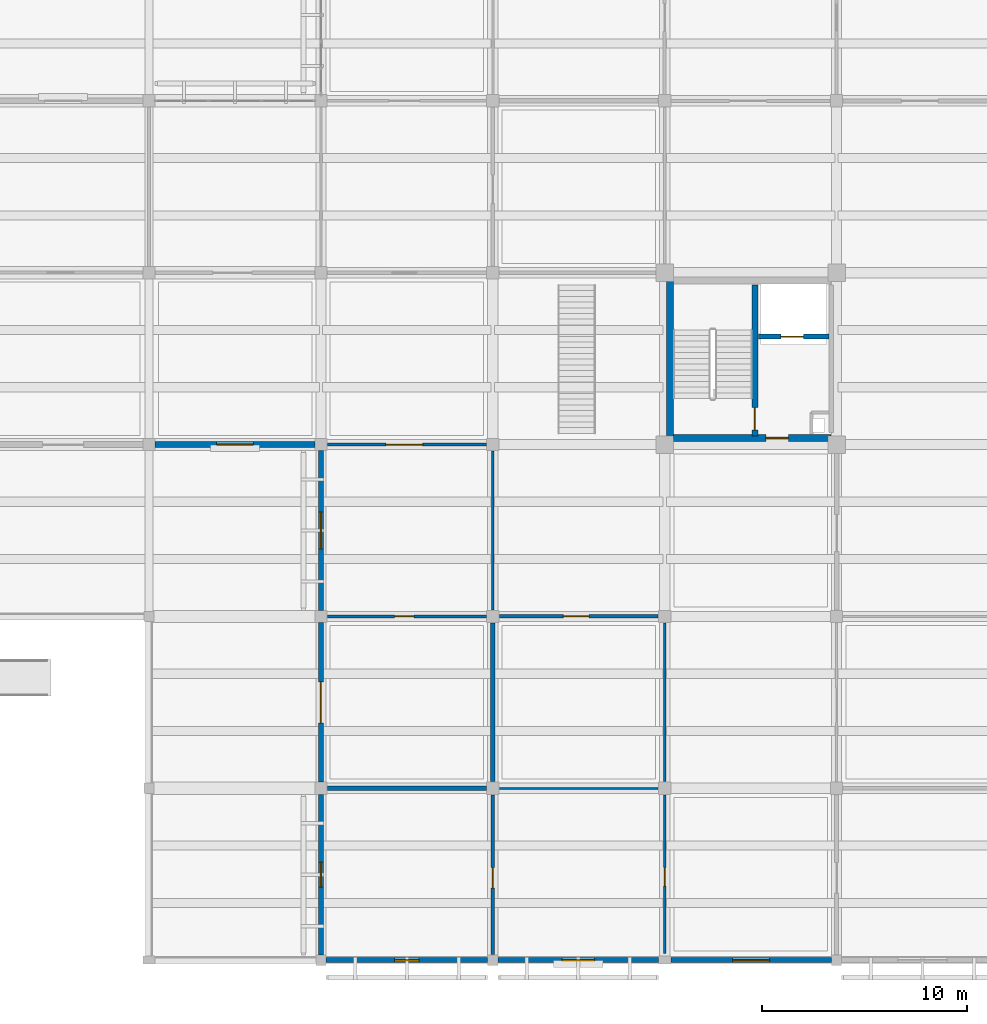
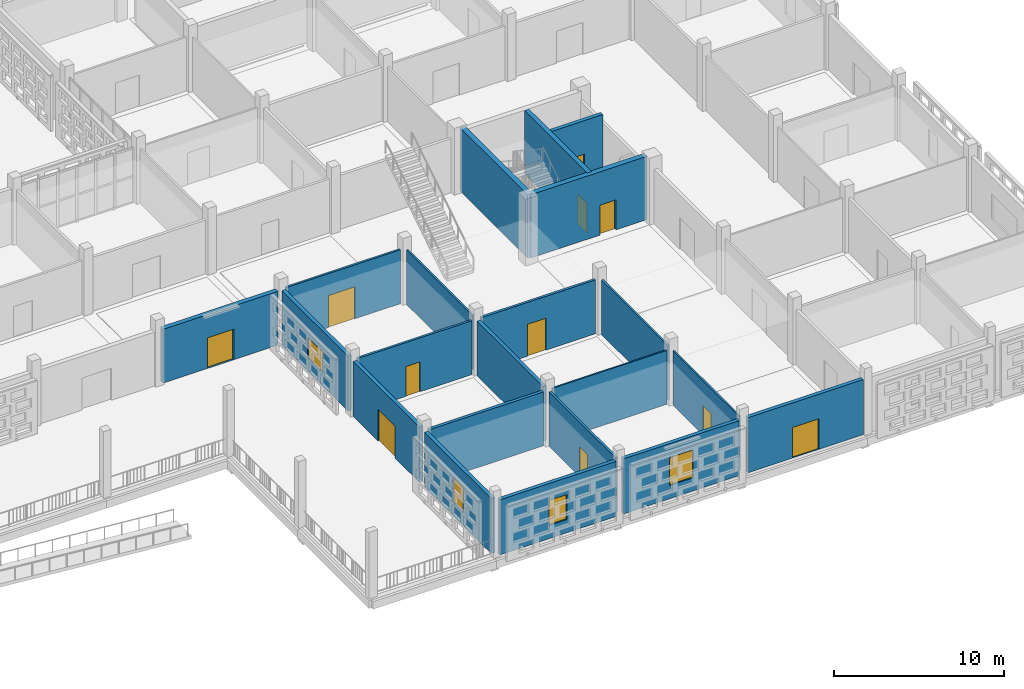
# One storey, part 68 of 129: 21 walls, 11 doors, 4 windows, 15 openings.
"""IFC4 building model written with IfcOpenShell, lengths in metres."""

import ifcopenshell
import ifcopenshell.guid

model = None  # the IFC model being written
_history = None  # IfcOwnerHistory: only IFC2X3 demands one
_inside = {}  # id of a spatial element -> (the spatial element, [elements in it])
_under = {}  # id of a project, library or spatial element -> (it, [spatial elements below it])
_declared = {}  # id of a project -> (the project, [libraries it declares])
_typed = {}  # id of a type object -> (the type object, [elements of that type])
_made_of = {}  # id of a material, layer set ... -> (it, [elements and type objects made of it])


def new_model(schema):
    """Start an empty IFC model of exactly this schema.

    Asked for "IFC4X3", IfcOpenShell would pick the latest addendum, in which some entities
    have other attributes; the version numbers below select the first issue.
    IFC2X3 requires an IfcOwnerHistory on every rooted entity: one is made here for all.
    """
    global model, _history
    if schema == "IFC4X3":
        model = ifcopenshell.file(schema_version=(4, 3, 0, 0))
    else:
        model = ifcopenshell.file(schema=schema)
    _inside.clear()
    _under.clear()
    _declared.clear()
    _typed.clear()
    _made_of.clear()
    _history = None
    if model.schema == "IFC2X3":
        org = make("IfcOrganization", Name="unknown")
        user = make(
            "IfcPersonAndOrganization",
            ThePerson=make("IfcPerson", FamilyName="unknown"),
            TheOrganization=org,
        )
        app = make(
            "IfcApplication",
            ApplicationDeveloper=org,
            Version="unknown",
            ApplicationFullName="unknown",
            ApplicationIdentifier="unknown",
        )
        _history = make(
            "IfcOwnerHistory",
            OwningUser=user,
            OwningApplication=app,
            ChangeAction="ADDED",
            CreationDate=0,
        )
    return model


def make(cls, **values):
    """One entity of the class cls with the attributes given. An attribute that is None is left unset."""
    return model.create_entity(
        cls, **{name: value for name, value in values.items() if value is not None}
    )


def rooted(cls, **values):
    """An entity with a GlobalId (a new one), such as an element, a storey or a relation."""
    return make(cls, GlobalId=ifcopenshell.guid.new(), OwnerHistory=_history, **values)


def si_unit(unit_type, name, prefix=None):
    """IfcSIUnit, for example si_unit("LENGTHUNIT", "METRE", prefix="MILLI")."""
    return make("IfcSIUnit", UnitType=unit_type, Prefix=prefix, Name=name)


def assignment(units):
    """IfcUnitAssignment: the units of a project."""
    return None if units is None else make("IfcUnitAssignment", Units=units)


def point(xyz):
    """IfcCartesianPoint."""
    return None if xyz is None else make("IfcCartesianPoint", Coordinates=xyz)


def direction(xyz):
    """IfcDirection."""
    return None if xyz is None else make("IfcDirection", DirectionRatios=xyz)


def frame(location, z_axis=None, x_axis=None):
    """IfcAxis2Placement3D, a coordinate frame: its origin and axes. An axis left out is left unset."""
    return make(
        "IfcAxis2Placement3D",
        Location=point(location),
        Axis=direction(z_axis),
        RefDirection=direction(x_axis),
    )


def frame_2d(location, x_axis=None):
    """IfcAxis2Placement2D, a coordinate frame in the plane: its origin and x axis."""
    return make(
        "IfcAxis2Placement2D", Location=point(location), RefDirection=direction(x_axis)
    )


def origin():
    """The frame at (0, 0, 0) with its axes left unset."""
    return frame((0.0, 0.0, 0.0))


def place(relative_to, where):
    """IfcLocalPlacement: puts the frame where relative to a parent placement (None: the world)."""
    return make(
        "IfcLocalPlacement", PlacementRelTo=relative_to, RelativePlacement=where
    )


def context(
    kind, dimensions, precision=None, world=None, true_north=None, identifier=None
):
    """IfcGeometricRepresentationContext, for example the 3D "Model" context."""
    return make(
        "IfcGeometricRepresentationContext",
        ContextIdentifier=identifier,
        ContextType=kind,
        CoordinateSpaceDimension=dimensions,
        Precision=precision,
        WorldCoordinateSystem=world,
        TrueNorth=true_north,
    )


def subcontext(parent, identifier, kind, view, scale=None):
    """IfcGeometricRepresentationSubContext, for example "Body" below "Model"."""
    return make(
        "IfcGeometricRepresentationSubContext",
        ContextIdentifier=identifier,
        ContextType=kind,
        ParentContext=parent,
        TargetScale=scale,
        TargetView=view,
    )


def project(units=None, contexts=None):
    """IfcProject with its units and contexts."""
    return rooted(
        "IfcProject",
        Name="project",
        RepresentationContexts=contexts,
        UnitsInContext=assignment(units),
    )


def spatial(cls, under=None, at=None, **own):
    """A site, building, storey or space (cls), placed at a placement, below another one or the project."""
    s = rooted(cls, ObjectPlacement=at, **own)
    if under is not None:
        _under.setdefault(under.id(), (under, []))[1].append(s)
    return s


def profile(cls, at=None, kind="AREA", **sizes):
    """A parametric profile (cls). Its sizes go by their IFC names, for example OverallWidth=200.0."""
    return make(cls, ProfileType=kind, Position=at, **sizes)


def rectangle(**sizes):
    """IfcRectangleProfileDef."""
    return profile("IfcRectangleProfileDef", **sizes)


def extrude(swept, where, along, depth):
    """IfcExtrudedAreaSolid: the profile swept, set in the frame where, extruded along a direction by depth."""
    return make(
        "IfcExtrudedAreaSolid",
        SweptArea=swept,
        Position=where,
        ExtrudedDirection=direction(along),
        Depth=depth,
    )


def shape(context_of_items, identifier, shape_type, items):
    """IfcShapeRepresentation: the items that make up one representation, for example the "Body"."""
    return make(
        "IfcShapeRepresentation",
        ContextOfItems=context_of_items,
        RepresentationIdentifier=identifier,
        RepresentationType=shape_type,
        Items=items,
    )


def material(Name=None, Category=None):
    """IfcMaterial."""
    return make("IfcMaterial", Name=Name, Category=Category)


def layer(
    of_material, thickness, ventilated=None, Name=None, Category=None, Priority=None
):
    """IfcMaterialLayer: one layer of a wall or slab, of a material (None: an air gap)."""
    return make(
        "IfcMaterialLayer",
        Material=of_material,
        LayerThickness=thickness,
        IsVentilated=ventilated,
        Name=Name,
        Category=Category,
        Priority=Priority,
    )


def layer_set(layers, Name=None):
    """IfcMaterialLayerSet."""
    return make("IfcMaterialLayerSet", MaterialLayers=layers, LayerSetName=Name)


def made_of(thing, what):
    """Note that an element or type object is made of a material, layer set ...; save() writes the relation."""
    if what is not None:
        _made_of.setdefault(what.id(), (what, []))[1].append(thing)
    return thing


def type_object(cls, material=None, **own):
    """A type object (cls), such as IfcWallType, which elements share."""
    return made_of(rooted(cls, **own), material)


def element(
    cls,
    number,
    at=None,
    inside=None,
    cuts=None,
    type_object=None,
    material=None,
    context=None,
    identifier="Body",
    shape_type=None,
    held_by="IfcProductDefinitionShape",
    body=None,
    shapes=None,
    **own,
):
    """One element of the class cls, such as IfcWall. Its Tag is "e" and its number.

    at: its placement. inside: the storey or other place that contains it. cuts: it is an
    opening in that element (IfcRelVoidsElement). A single representation is given by context,
    identifier, shape_type and body (its items); several are given by shapes. held_by: the class
    of the entity that holds the representations. save() writes the other relations.
    """
    e = rooted(cls, Tag="e%d" % number, ObjectPlacement=at, **own)
    if body is not None:
        shapes = [shape(context, identifier, shape_type, body)]
    if shapes is not None:
        e.Representation = make(held_by, Representations=shapes)
    if inside is not None:
        _inside.setdefault(inside.id(), (inside, []))[1].append(e)
    if cuts is not None:
        rooted(
            "IfcRelVoidsElement", RelatingBuildingElement=cuts, RelatedOpeningElement=e
        )
    if type_object is not None:
        _typed.setdefault(type_object.id(), (type_object, []))[1].append(e)
    return made_of(e, material)


def fill(opening, filler):
    """IfcRelFillsElement: the door or window that sits in an opening."""
    return rooted(
        "IfcRelFillsElement",
        RelatingOpeningElement=opening,
        RelatedBuildingElement=filler,
    )


def aggregate(whole, parts):
    """IfcRelAggregates: a whole, such as a stair, and the parts it consists of."""
    return rooted("IfcRelAggregates", RelatingObject=whole, RelatedObjects=parts)


def save(model, path):
    """Write the relations noted so far, then the file.

    IfcRelAggregates (storeys below a building ...), IfcRelContainedInSpatialStructure (elements
    in a storey), IfcRelDefinesByType, IfcRelAssociatesMaterial and IfcRelDeclares: one each for
    every whole, place, type object, material and project.
    """
    for whole, parts in _under.values():
        aggregate(whole, parts)
    for where, things in _inside.values():
        rooted(
            "IfcRelContainedInSpatialStructure",
            RelatedElements=things,
            RelatingStructure=where,
        )
    for kind, things in _typed.values():
        rooted("IfcRelDefinesByType", RelatedObjects=things, RelatingType=kind)
    for what, things in _made_of.values():
        rooted("IfcRelAssociatesMaterial", RelatedObjects=things, RelatingMaterial=what)
    for by, libraries in _declared.values():
        rooted("IfcRelDeclares", RelatingContext=by, RelatedDefinitions=libraries)
    model.write(path)


model = new_model("IFC4")

# Units and contexts
model_context = context("Model", 3, precision=1e-05, world=origin(), true_north=direction((0.0, 1.0)))
body_context = subcontext(model_context, "Body", "Model", "MODEL_VIEW")
ifc_project = project(units=[si_unit("LENGTHUNIT", "METRE"), si_unit("AREAUNIT", "SQUARE_METRE"), si_unit("VOLUMEUNIT", "CUBIC_METRE"), si_unit("PLANEANGLEUNIT", "RADIAN"), si_unit("MASSUNIT", "GRAM", prefix="KILO")], contexts=[model_context])

# Site, building, storey
site_placement = place(None, origin())
site = spatial("IfcSite", under=ifc_project, at=site_placement, CompositionType="ELEMENT")
building_placement = place(site_placement, origin())
building = spatial("IfcBuilding", under=site, at=building_placement, Name="Varnapada Polytechnic", CompositionType="ELEMENT")
storey_placement = place(building_placement, origin())
storey = spatial("IfcBuildingStorey", under=building, at=storey_placement, Name="L00", CompositionType="ELEMENT", Elevation=0.0)

# Wall, opening, door
ifc_material_1 = material(Name="Autoclaved Aerated Concrete Block AAC-600", Category="concrete")
ifc_layer_1 = layer(ifc_material_1, 0.14990234375)
ifc_layer_set_1 = layer_set([ifc_layer_1], Name="Autoclaved Aerated Concrete Block AAC-600")
wall_type_1 = type_object("IfcWallType", Name="Interior Wall IW-02", PredefinedType="PARTITIONING", material=ifc_layer_set_1)
wall_1_placement = place(storey_placement, frame((134.719970703125, 16.800048828125, 0.0), z_axis=(0.0, 0.0, 1.0), x_axis=(1.0, 0.0, 0.0)))
wall_1 = element("IfcWall", 1, at=wall_1_placement, inside=storey, type_object=wall_type_1, Name="L00 interior partition IW-L00-16-01-H", PredefinedType="PARTITIONING", context=body_context, shape_type="SweptSolid", body=[
    extrude(rectangle(XDim=7.760009765625, YDim=0.14990234375, at=frame_2d((3.8798828125, 0.0))), origin(), (0.0, 0.0, 1.0), 3.8701171875),
])
opening_1_placement = place(wall_1_placement, frame((3.27490234375, 0.0, 0.0)))
opening_1 = element("IfcOpeningElement", 2, at=opening_1_placement, cuts=wall_1, Name="Opening D-902", PredefinedType="OPENING", context=body_context, shape_type="SweptSolid", body=[
    extrude(rectangle(XDim=0.949951171875, YDim=2.14990234375, at=frame_2d((0.47509765625, 1.074951171875))), frame((0.0, 0.0849609375, 0.0), z_axis=(0.0, -1.0, 0.0), x_axis=(1.0, 0.0, 0.0)), (0.0, 0.0, 1.0), 0.169921875),
])
ifc_material_2 = material(Name="Moisture-Resistant HPL Timber", Category="wood")
door_type_1 = type_object("IfcDoorType", Name="Interior Door ID-03", OperationType="NOTDEFINED", PredefinedType="DOOR", material=ifc_material_2)
door_1_placement = place(opening_1_placement, frame((0.949951171875, 0.0, 0.0), z_axis=(0.0, 0.0, 1.0), x_axis=(-1.0, 0.0, 0.0)))
door_1 = element("IfcDoor", 3, at=door_1_placement, inside=storey, type_object=door_type_1, Name="L00 interior room door D-902", OperationType="SINGLE_SWING_LEFT", OverallHeight=2.14990234375, OverallWidth=0.949951171875, PredefinedType="DOOR", context=body_context, shape_type="SweptSolid", body=[
    extrude(rectangle(XDim=0.949951171875, YDim=2.14990234375, at=frame_2d((0.47509765625, 1.074951171875))), frame((0.0, 0.02490234375, 0.0), z_axis=(0.0, -1.0, 0.0), x_axis=(1.0, 0.0, 0.0)), (0.0, 0.0, 1.0), 0.050048828125),
])
fill(opening_1, door_1)

# Wall
ifc_material_3 = material(Name="Gypsum Plasterboard Acoustic Partition")
ifc_layer_2 = layer(ifc_material_3, 0.125)
ifc_layer_set_2 = layer_set([ifc_layer_2], Name="Gypsum Plasterboard Acoustic Partition")
wall_type_2 = type_object("IfcWallType", Name="Interior Wall IW-03", PredefinedType="PARTITIONING", material=ifc_layer_set_2)
wall_2_placement = place(storey_placement, frame((142.800048828125, 17.1201171875, 0.0), z_axis=(0.0, 0.0, 1.0), x_axis=(0.0, 1.0, 0.0)))
element("IfcWall", 4, at=wall_2_placement, inside=storey, type_object=wall_type_2, Name="L00 interior partition IW-L00-16-02-V", PredefinedType="PARTITIONING", context=body_context, shape_type="SweptSolid", body=[
    extrude(rectangle(XDim=7.759765625, YDim=0.125, at=frame_2d((3.8798828125, 0.0))), origin(), (0.0, 0.0, 1.0), 3.919921875),
])

# Wall, opening, door
ifc_material_4 = material(Name="Moisture-Resistant Cement Board Partition")
ifc_layer_3 = layer(ifc_material_4, 0.139892578125)
ifc_layer_set_3 = layer_set([ifc_layer_3], Name="Moisture-Resistant Cement Board Partition")
wall_type_3 = type_object("IfcWallType", Name="Interior Wall IW-04", PredefinedType="PARTITIONING", material=ifc_layer_set_3)
wall_3_placement = place(storey_placement, frame((134.719970703125, 25.199951171875, 0.0), z_axis=(0.0, 0.0, 1.0), x_axis=(1.0, 0.0, 0.0)))
wall_3 = element("IfcWall", 5, at=wall_3_placement, inside=storey, type_object=wall_type_3, Name="L00 interior partition IW-L00-16-02-H", PredefinedType="PARTITIONING", context=body_context, shape_type="SweptSolid", body=[
    extrude(rectangle(XDim=7.760009765625, YDim=0.139892578125, at=frame_2d((3.8798828125, 0.0))), origin(), (0.0, 0.0, 1.0), 3.8701171875),
])
opening_2_placement = place(wall_3_placement, frame((2.85009765625, 0.0, 0.0)))
opening_2 = element("IfcOpeningElement", 6, at=opening_2_placement, cuts=wall_3, Name="Opening D-903", PredefinedType="OPENING", context=body_context, shape_type="SweptSolid", body=[
    extrude(rectangle(XDim=1.800048828125, YDim=2.300048828125, at=frame_2d((0.89990234375, 1.14990234375))), frame((0.0, 0.079833984375, 0.0), z_axis=(0.0, -1.0, 0.0), x_axis=(1.0, 0.0, 0.0)), (0.0, 0.0, 1.0), 0.159912109375),
])
ifc_material_5 = material(Name="Acoustic Double Timber Leaf", Category="wood")
door_type_2 = type_object("IfcDoorType", Name="Interior Door ID-04", OperationType="NOTDEFINED", PredefinedType="DOOR", material=ifc_material_5)
door_2_placement = place(opening_2_placement, origin())
door_2 = element("IfcDoor", 7, at=door_2_placement, inside=storey, type_object=door_type_2, Name="L00 interior room door D-903", OperationType="SINGLE_SWING_RIGHT", OverallHeight=2.300048828125, OverallWidth=1.800048828125, PredefinedType="DOOR", context=body_context, shape_type="SweptSolid", body=[
    extrude(rectangle(XDim=1.800048828125, YDim=2.300048828125, at=frame_2d((0.89990234375, 1.14990234375))), frame((0.0, 0.02490234375, 0.0), z_axis=(0.0, -1.0, 0.0), x_axis=(1.0, 0.0, 0.0)), (0.0, 0.0, 1.0), 0.050048828125),
])
fill(opening_2, door_2)

ifc_material_6 = material(Name="Glazed Timber-Framed Studio Screen", Category="wood")
ifc_layer_4 = layer(ifc_material_6, 0.110107421875)
ifc_layer_set_4 = layer_set([ifc_layer_4], Name="Glazed Timber-Framed Studio Screen")
wall_type_4 = type_object("IfcWallType", Name="Interior Wall IW-07", PredefinedType="PARTITIONING", material=ifc_layer_set_4)
wall_4_placement = place(storey_placement, frame((151.199951171875, 0.320068359375, 0.0), z_axis=(0.0, 0.0, 1.0), x_axis=(0.0, 1.0, 0.0)))
wall_4 = element("IfcWall", 8, at=wall_4_placement, inside=storey, type_object=wall_type_4, Name="L00 interior partition IW-L00-17-00-V", PredefinedType="PARTITIONING", context=body_context, shape_type="SweptSolid", body=[
    extrude(rectangle(XDim=7.760009765625, YDim=0.110107421875, at=frame_2d((3.8798828125, 0.0))), origin(), (0.0, 0.0, 1.0), 3.919921875),
])
opening_3_placement = place(wall_4_placement, frame((3.300048828125, 0.0, 0.0)))
opening_3 = element("IfcOpeningElement", 9, at=opening_3_placement, cuts=wall_4, Name="Opening D-914", PredefinedType="OPENING", context=body_context, shape_type="SweptSolid", body=[
    extrude(rectangle(XDim=0.89990234375, YDim=2.10009765625, at=frame_2d((0.449951171875, 1.050048828125))), frame((0.0, 0.06494140625, 0.0), z_axis=(0.0, -1.0, 0.0), x_axis=(1.0, 0.0, 0.0)), (0.0, 0.0, 1.0), 0.130126953125),
])
door_type_3 = type_object("IfcDoorType", Name="Interior Door ID-15", OperationType="NOTDEFINED", PredefinedType="DOOR", material=ifc_material_2)
door_3_placement = place(opening_3_placement, frame((0.89990234375, 0.0, 0.0), z_axis=(0.0, 0.0, 1.0), x_axis=(-1.0, 0.0, 0.0)))
door_3 = element("IfcDoor", 10, at=door_3_placement, inside=storey, type_object=door_type_3, Name="L00 interior room door D-914", OperationType="SINGLE_SWING_LEFT", OverallHeight=2.10009765625, OverallWidth=0.89990234375, PredefinedType="DOOR", context=body_context, shape_type="SweptSolid", body=[
    extrude(rectangle(XDim=0.89990234375, YDim=2.10009765625, at=frame_2d((0.449951171875, 1.050048828125))), frame((0.0, 0.02490234375, 0.0), z_axis=(0.0, -1.0, 0.0), x_axis=(1.0, 0.0, 0.0)), (0.0, 0.0, 1.0), 0.050048828125),
])
fill(opening_3, door_3)

# Walls
ifc_material_7 = material(Name="Operable Acoustic Seminar Partition")
ifc_layer_5 = layer(ifc_material_7, 0.10009765625)
ifc_layer_set_5 = layer_set([ifc_layer_5], Name="Operable Acoustic Seminar Partition")
wall_type_5 = type_object("IfcWallType", Name="Interior Wall IW-08", PredefinedType="MOVABLE", material=ifc_layer_set_5)
wall_5_placement = place(storey_placement, frame((143.1201171875, 8.39990234375, 0.0), z_axis=(0.0, 0.0, 1.0), x_axis=(1.0, 0.0, 0.0)))
element("IfcWall", 11, at=wall_5_placement, inside=storey, type_object=wall_type_5, Name="L00 interior partition IW-L00-17-00-H", PredefinedType="MOVABLE", context=body_context, shape_type="SweptSolid", body=[
    extrude(rectangle(XDim=7.759765625, YDim=0.10009765625, at=frame_2d((3.8798828125, 0.0))), origin(), (0.0, 0.0, 1.0), 3.8701171875),
])
ifc_material_8 = material(Name="Calcium Silicate Acoustic Lab Partition")
ifc_layer_6 = layer(ifc_material_8, 0.135009765625)
ifc_layer_set_6 = layer_set([ifc_layer_6], Name="Calcium Silicate Acoustic Lab Partition")
wall_type_6 = type_object("IfcWallType", Name="Interior Wall IW-09", PredefinedType="PARTITIONING", material=ifc_layer_set_6)
wall_6_placement = place(storey_placement, frame((151.199951171875, 8.719970703125, 0.0), z_axis=(0.0, 0.0, 1.0), x_axis=(0.0, 1.0, 0.0)))
element("IfcWall", 12, at=wall_6_placement, inside=storey, type_object=wall_type_6, Name="L00 interior partition IW-L00-17-01-V", PredefinedType="PARTITIONING", context=body_context, shape_type="SweptSolid", body=[
    extrude(rectangle(XDim=7.760009765625, YDim=0.135009765625, at=frame_2d((3.8798828125, 0.0))), origin(), (0.0, 0.0, 1.0), 3.919921875),
])

# Wall, opening, door
ifc_material_9 = material(Name="Double-Layer Fireboard Workshop Wall")
ifc_layer_7 = layer(ifc_material_9, 0.169921875)
ifc_layer_set_7 = layer_set([ifc_layer_7], Name="Double-Layer Fireboard Workshop Wall")
wall_type_7 = type_object("IfcWallType", Name="Interior Wall IW-10", PredefinedType="PARTITIONING", material=ifc_layer_set_7)
wall_7_placement = place(storey_placement, frame((143.1201171875, 16.800048828125, 0.0), z_axis=(0.0, 0.0, 1.0), x_axis=(1.0, 0.0, 0.0)))
wall_7 = element("IfcWall", 13, at=wall_7_placement, inside=storey, type_object=wall_type_7, Name="L00 interior partition IW-L00-17-01-H", PredefinedType="PARTITIONING", context=body_context, shape_type="SweptSolid", body=[
    extrude(rectangle(XDim=7.759765625, YDim=0.169921875, at=frame_2d((3.8798828125, 0.0))), origin(), (0.0, 0.0, 1.0), 3.8701171875),
])
opening_4_placement = place(wall_7_placement, frame((3.125, 0.0, 0.0)))
opening_4 = element("IfcOpeningElement", 14, at=opening_4_placement, cuts=wall_7, Name="Opening D-915", PredefinedType="OPENING", context=body_context, shape_type="SweptSolid", body=[
    extrude(rectangle(XDim=1.25, YDim=2.300048828125, at=frame_2d((0.625, 1.14990234375))), frame((0.0, 0.094970703125, 0.0), z_axis=(0.0, -1.0, 0.0), x_axis=(1.0, 0.0, 0.0)), (0.0, 0.0, 1.0), 0.18994140625),
])
ifc_material_10 = material(Name="Solid Teak Hardwood Timber", Category="wood")
door_type_4 = type_object("IfcDoorType", Name="Interior Door ID-16", OperationType="NOTDEFINED", PredefinedType="DOOR", material=ifc_material_10)
door_4_placement = place(opening_4_placement, origin())
door_4 = element("IfcDoor", 15, at=door_4_placement, inside=storey, type_object=door_type_4, Name="L00 interior room door D-915", OperationType="SINGLE_SWING_RIGHT", OverallHeight=2.300048828125, OverallWidth=1.25, PredefinedType="DOOR", context=body_context, shape_type="SweptSolid", body=[
    extrude(rectangle(XDim=1.25, YDim=2.300048828125, at=frame_2d((0.625, 1.14990234375))), frame((0.0, 0.02490234375, 0.0), z_axis=(0.0, -1.0, 0.0), x_axis=(1.0, 0.0, 0.0)), (0.0, 0.0, 1.0), 0.050048828125),
])
fill(opening_4, door_4)

ifc_material_11 = material(Name="Perforated Timber-Lined Seminar Wall", Category="wood")
ifc_layer_8 = layer(ifc_material_11, 0.155029296875)
ifc_layer_set_8 = layer_set([ifc_layer_8], Name="Perforated Timber-Lined Seminar Wall")
wall_type_8 = type_object("IfcWallType", Name="Interior Wall IW-15", PredefinedType="PARTITIONING", material=ifc_layer_set_8)
wall_8_placement = place(storey_placement, frame((142.800048828125, 0.27001953125, 0.0), z_axis=(0.0, 0.0, 1.0), x_axis=(0.0, 1.0, 0.0)))
wall_8 = element("IfcWall", 16, at=wall_8_placement, inside=storey, type_object=wall_type_8, Name="L00 interior partition IW-L00-16-00-V", PredefinedType="PARTITIONING", context=body_context, shape_type="SweptSolid", body=[
    extrude(rectangle(XDim=7.81005859375, YDim=0.155029296875, at=frame_2d((3.905029296875, 0.0))), origin(), (0.0, 0.0, 1.0), 3.919921875),
])
opening_5_placement = place(wall_8_placement, frame((3.25, 0.0, 0.0)))
opening_5 = element("IfcOpeningElement", 17, at=opening_5_placement, cuts=wall_8, Name="Opening D-901", PredefinedType="OPENING", context=body_context, shape_type="SweptSolid", body=[
    extrude(rectangle(XDim=1.0, YDim=2.14990234375, at=frame_2d((0.5, 1.074951171875))), frame((0.0, 0.08740234375, 0.0), z_axis=(0.0, -1.0, 0.0), x_axis=(1.0, 0.0, 0.0)), (0.0, 0.0, 1.0), 0.175048828125),
])
door_type_5 = type_object("IfcDoorType", Name="Interior Door ID-02", OperationType="NOTDEFINED", PredefinedType="DOOR", material=ifc_material_10)
door_5_placement = place(opening_5_placement, origin())
door_5 = element("IfcDoor", 18, at=door_5_placement, inside=storey, type_object=door_type_5, Name="L00 interior room door D-901", OperationType="SINGLE_SWING_RIGHT", OverallHeight=2.14990234375, OverallWidth=1.0, PredefinedType="DOOR", context=body_context, shape_type="SweptSolid", body=[
    extrude(rectangle(XDim=1.0, YDim=2.14990234375, at=frame_2d((0.5, 1.074951171875))), frame((0.0, 0.02490234375, 0.0), z_axis=(0.0, -1.0, 0.0), x_axis=(1.0, 0.0, 0.0)), (0.0, 0.0, 1.0), 0.050048828125),
])
fill(opening_5, door_5)

# Walls
ifc_material_12 = material(Name="Heavy Masonry Workshop Partition", Category="masonry")
ifc_layer_9 = layer(ifc_material_12, 0.2099609375)
ifc_layer_set_9 = layer_set([ifc_layer_9], Name="Heavy Masonry Workshop Partition")
wall_type_9 = type_object("IfcWallType", Name="Interior Wall IW-16", PredefinedType="PARTITIONING", material=ifc_layer_set_9)
wall_9_placement = place(storey_placement, frame((134.719970703125, 8.39990234375, 0.0), z_axis=(0.0, 0.0, 1.0), x_axis=(1.0, 0.0, 0.0)))
element("IfcWall", 19, at=wall_9_placement, inside=storey, type_object=wall_type_9, Name="L00 interior partition IW-L00-16-00-H", PredefinedType="PARTITIONING", context=body_context, shape_type="SweptSolid", body=[
    extrude(rectangle(XDim=7.760009765625, YDim=0.2099609375, at=frame_2d((3.8798828125, 0.0))), origin(), (0.0, 0.0, 1.0), 3.8701171875),
])
ifc_material_13 = material(Name="Double-Leaf Acoustic Lecture Wall")
ifc_layer_10 = layer(ifc_material_13, 0.235107421875)
ifc_layer_set_10 = layer_set([ifc_layer_10], Name="Double-Leaf Acoustic Lecture Wall")
wall_type_10 = type_object("IfcWallType", Name="Interior Wall IW-17", PredefinedType="PARTITIONING", material=ifc_layer_set_10)
wall_10_placement = place(storey_placement, frame((142.800048828125, 8.719970703125, 0.0), z_axis=(0.0, 0.0, 1.0), x_axis=(0.0, 1.0, 0.0)))
element("IfcWall", 20, at=wall_10_placement, inside=storey, type_object=wall_type_10, Name="L00 interior partition IW-L00-16-01-V", PredefinedType="PARTITIONING", context=body_context, shape_type="SweptSolid", body=[
    extrude(rectangle(XDim=7.760009765625, YDim=0.235107421875, at=frame_2d((3.8798828125, 0.0))), origin(), (0.0, 0.0, 1.0), 3.919921875),
])
ifc_material_14 = material(Name="Concrete C40/50", Category="concrete")
ifc_layer_11 = layer(ifc_material_14, 0.35009765625)
ifc_layer_set_11 = layer_set([ifc_layer_11], Name="Concrete C40/50")
wall_type_11 = type_object("IfcWallType", Name="Interior Wall SW-01", PredefinedType="SHEAR", material=ifc_layer_set_11)
wall_11_placement = place(storey_placement, frame((151.465087890625, 25.449951171875, 0.0), z_axis=(0.0, 0.0, 1.0), x_axis=(0.0, 1.0, 0.0)))
element("IfcWall", 21, at=wall_11_placement, inside=storey, type_object=wall_type_11, Name="L00 C6 stair west shear wall", PredefinedType="SHEAR", context=body_context, shape_type="SweptSolid", body=[
    extrude(rectangle(XDim=7.93994140625, YDim=0.35009765625, at=frame_2d((3.969970703125, 0.0))), origin(), (0.0, 0.0, 1.0), 4.550048828125),
])

# Wall, opening, door
wall_12_placement = place(storey_placement, frame((159.340087890625, 25.52001953125, 0.0), z_axis=(0.0, 0.0, 1.0), x_axis=(-1.0, 0.0, 0.0)))
wall_12 = element("IfcWall", 22, at=wall_12_placement, inside=storey, type_object=wall_type_11, Name="L00 C6 core south shear wall", PredefinedType="SHEAR", context=body_context, shape_type="SweptSolid", body=[
    extrude(rectangle(XDim=7.875, YDim=0.35009765625, at=frame_2d((3.9375, 0.0))), origin(), (0.0, 0.0, 1.0), 4.550048828125),
])
opening_6_placement = place(wall_12_placement, frame((2.10009765625, 0.0, 0.0)))
opening_6 = element("IfcOpeningElement", 23, at=opening_6_placement, cuts=wall_12, Name="Opening D-816", PredefinedType="OPENING", context=body_context, shape_type="SweptSolid", body=[
    extrude(rectangle(XDim=1.10009765625, YDim=2.14990234375, at=frame_2d((0.550048828125, 1.074951171875))), frame((0.0, 0.18505859375, 0.0), z_axis=(0.0, -1.0, 0.0), x_axis=(1.0, 0.0, 0.0)), (0.0, 0.0, 1.0), 0.3701171875),
])
ifc_material_15 = material(Name="Galvanized Steel Z275", Category="steel")
door_type_6 = type_object("IfcDoorType", Name="Interior Door ID-01", OperationType="NOTDEFINED", PredefinedType="DOOR", material=ifc_material_15)
door_6_placement = place(opening_6_placement, origin())
door_6 = element("IfcDoor", 24, at=door_6_placement, inside=storey, type_object=door_type_6, Name="L00 C6 lobby fire door D-816", OperationType="SINGLE_SWING_RIGHT", OverallHeight=2.14990234375, OverallWidth=1.10009765625, PredefinedType="DOOR", context=body_context, shape_type="SweptSolid", body=[
    extrude(rectangle(XDim=1.10009765625, YDim=2.14990234375, at=frame_2d((0.550048828125, 1.074951171875))), frame((0.0, 0.02490234375, 0.0), z_axis=(0.0, -1.0, 0.0), x_axis=(1.0, 0.0, 0.0)), (0.0, 0.0, 1.0), 0.050048828125),
])
fill(opening_6, door_6)

ifc_layer_12 = layer(ifc_material_14, 0.300048828125)
ifc_layer_set_12 = layer_set([ifc_layer_12], Name="Concrete C40/50")
wall_type_12 = type_object("IfcWallType", Name="Interior Wall SW-02", PredefinedType="SHEAR", material=ifc_layer_set_12)
wall_13_placement = place(storey_placement, frame((155.610107421875, 25.6201171875, 0.0), z_axis=(0.0, 0.0, 1.0), x_axis=(0.0, 1.0, 0.0)))
wall_13 = element("IfcWall", 25, at=wall_13_placement, inside=storey, type_object=wall_type_12, Name="L00 C6 stair-lobby dividing shear wall", PredefinedType="SHEAR", context=body_context, shape_type="SweptSolid", body=[
    extrude(rectangle(XDim=7.3798828125, YDim=0.300048828125, at=frame_2d((3.68994140625, 0.0))), origin(), (0.0, 0.0, 1.0), 4.550048828125),
])
opening_7_placement = place(wall_13_placement, frame((0.280029296875, 0.0, 0.0)))
opening_7 = element("IfcOpeningElement", 26, at=opening_7_placement, cuts=wall_13, Name="Opening D-817", PredefinedType="OPENING", context=body_context, shape_type="SweptSolid", body=[
    extrude(rectangle(XDim=1.10009765625, YDim=2.14990234375, at=frame_2d((0.550048828125, 1.074951171875))), frame((0.0, 0.159912109375, 0.0), z_axis=(0.0, -1.0, 0.0), x_axis=(1.0, 0.0, 0.0)), (0.0, 0.0, 1.0), 0.320068359375),
])
door_7_placement = place(opening_7_placement, frame((1.10009765625, 0.0, 0.0), z_axis=(0.0, 0.0, 1.0), x_axis=(-1.0, 0.0, 0.0)))
door_7 = element("IfcDoor", 27, at=door_7_placement, inside=storey, type_object=door_type_6, Name="L00 C6 exit stair door D-817", OperationType="SINGLE_SWING_RIGHT", OverallHeight=2.14990234375, OverallWidth=1.10009765625, PredefinedType="DOOR", context=body_context, shape_type="SweptSolid", body=[
    extrude(rectangle(XDim=1.10009765625, YDim=2.14990234375, at=frame_2d((0.550048828125, 1.074951171875))), frame((0.0, 0.02490234375, 0.0), z_axis=(0.0, -1.0, 0.0), x_axis=(1.0, 0.0, 0.0)), (0.0, 0.0, 1.0), 0.050048828125),
])
fill(opening_7, door_7)

ifc_layer_13 = layer(ifc_material_14, 0.25)
ifc_layer_set_13 = layer_set([ifc_layer_13], Name="Concrete C40/50")
wall_type_13 = type_object("IfcWallType", Name="Interior Wall SW-05", PredefinedType="SHEAR", material=ifc_layer_set_13)
wall_14_placement = place(storey_placement, frame((155.780029296875, 30.47998046875, 0.0), z_axis=(0.0, 0.0, 1.0), x_axis=(1.0, 0.0, 0.0)))
wall_14 = element("IfcWall", 28, at=wall_14_placement, inside=storey, type_object=wall_type_13, Name="L00 C6 lift shaft front wall", PredefinedType="SHEAR", context=body_context, shape_type="SweptSolid", body=[
    extrude(rectangle(XDim=3.4599609375, YDim=0.25, at=frame_2d((1.72998046875, 0.0))), origin(), (0.0, 0.0, 1.0), 4.550048828125),
])
opening_8_placement = place(wall_14_placement, frame((1.10009765625, 0.0, 0.0)))
opening_8 = element("IfcOpeningElement", 29, at=opening_8_placement, cuts=wall_14, Name="Opening LD-011", PredefinedType="OPENING", context=body_context, shape_type="SweptSolid", body=[
    extrude(rectangle(XDim=1.10009765625, YDim=2.14990234375, at=frame_2d((0.550048828125, 1.074951171875))), frame((0.0, 0.135009765625, 0.0), z_axis=(0.0, -1.0, 0.0), x_axis=(1.0, 0.0, 0.0)), (0.0, 0.0, 1.0), 0.27001953125),
])
ifc_material_16 = material(Name="Brushed Stainless Steel 316", Category="steel")
door_type_7 = type_object("IfcDoorType", Name="Interior Door LD-01", OperationType="NOTDEFINED", PredefinedType="DOOR", material=ifc_material_16)
door_8_placement = place(opening_8_placement, origin())
door_8 = element("IfcDoor", 30, at=door_8_placement, inside=storey, type_object=door_type_7, Name="L00 LFT-06 sliding lift landing door LD-011", OperationType="DOUBLE_DOOR_SLIDING", OverallHeight=2.14990234375, OverallWidth=1.10009765625, PredefinedType="DOOR", context=body_context, shape_type="SweptSolid", body=[
    extrude(rectangle(XDim=1.10009765625, YDim=2.14990234375, at=frame_2d((0.550048828125, 1.074951171875))), frame((0.0, 0.02490234375, 0.0), z_axis=(0.0, -1.0, 0.0), x_axis=(1.0, 0.0, 0.0)), (0.0, 0.0, 1.0), 0.050048828125),
])
fill(opening_8, door_8)

ifc_material_17 = material(Name="Precast concrete C40/50", Category="concrete")
ifc_layer_14 = layer(ifc_material_17, 0.300048828125)
ifc_layer_set_14 = layer_set([ifc_layer_14], Name="Precast concrete C40/50")
wall_type_14 = type_object("IfcWallType", Name="Wall EW-01", PredefinedType="SOLIDWALL", material=ifc_layer_set_14)
wall_15_placement = place(storey_placement, frame((134.10009765625, 25.199951171875, 0.0), z_axis=(0.0, 0.0, 1.0), x_axis=(-1.0, 0.0, 0.0)))
wall_15 = element("IfcWall", 31, at=wall_15_placement, inside=storey, type_object=wall_type_14, Name="L00 exterior wall EW-01 (76)", PredefinedType="SOLIDWALL", context=body_context, shape_type="SweptSolid", body=[
    extrude(rectangle(XDim=7.800048828125, YDim=0.300048828125, at=frame_2d((3.89990234375, 0.0))), origin(), (0.0, 0.0, 1.0), 3.8701171875),
])
opening_9_placement = place(wall_15_placement, frame((3.0, 0.0, 0.0)))
opening_9 = element("IfcOpeningElement", 32, at=opening_9_placement, cuts=wall_15, Name="Opening D-023", PredefinedType="OPENING", context=body_context, shape_type="SweptSolid", body=[
    extrude(rectangle(XDim=1.800048828125, YDim=2.199951171875, at=frame_2d((0.89990234375, 1.10009765625))), frame((0.0, 0.159912109375, 0.0), z_axis=(0.0, -1.0, 0.0), x_axis=(1.0, 0.0, 0.0)), (0.0, 0.0, 1.0), 0.320068359375),
])
ifc_material_18 = material(Name="Painted galvanized steel", Category="steel")
door_type_8 = type_object("IfcDoorType", Name="Exterior Door ED-02", OperationType="DOUBLE_DOOR_SINGLE_SWING", PredefinedType="DOOR", material=ifc_material_18)
door_9_placement = place(opening_9_placement, origin())
door_9 = element("IfcDoor", 33, at=door_9_placement, inside=storey, type_object=door_type_8, Name="L00 final pedestrian exit door D-023", OperationType="DOUBLE_DOOR_SINGLE_SWING", OverallHeight=2.199951171875, OverallWidth=1.800048828125, PredefinedType="DOOR", context=body_context, shape_type="SweptSolid", body=[
    extrude(rectangle(XDim=1.800048828125, YDim=2.199951171875, at=frame_2d((0.89990234375, 1.10009765625))), frame((0.0, 0.02490234375, 0.0), z_axis=(0.0, -1.0, 0.0), x_axis=(1.0, 0.0, 0.0)), (0.0, 0.0, 1.0), 0.050048828125),
])
fill(opening_9, door_9)

# Wall, opening, window
ifc_layer_15 = layer(ifc_material_17, 0.25)
ifc_layer_set_15 = layer_set([ifc_layer_15], Name="Precast concrete C40/50")
wall_type_15 = type_object("IfcWallType", Name="Wall EW-05", PredefinedType="SOLIDWALL", material=ifc_layer_set_15)
wall_16_placement = place(storey_placement, frame((142.550048828125, 0.0, 0.0), z_axis=(0.0, 0.0, 1.0), x_axis=(-1.0, 0.0, 0.0)))
wall_16 = element("IfcWall", 34, at=wall_16_placement, inside=storey, type_object=wall_type_15, Name="L00 exterior wall EW-05 (81)", PredefinedType="SOLIDWALL", context=body_context, shape_type="SweptSolid", body=[
    extrude(rectangle(XDim=7.900146484375, YDim=0.25, at=frame_2d((3.9501953125, 0.0))), origin(), (0.0, 0.0, 1.0), 3.9599609375),
])
opening_10_placement = place(wall_16_placement, frame((3.35009765625, 0.0, 0.949951171875)))
opening_10 = element("IfcOpeningElement", 35, at=opening_10_placement, cuts=wall_16, Name="Opening WN-01", PredefinedType="OPENING", context=body_context, shape_type="SweptSolid", body=[
    extrude(rectangle(XDim=1.199951171875, YDim=1.800048828125, at=frame_2d((0.60009765625, 0.89990234375))), frame((0.0, 0.135009765625, 0.0), z_axis=(0.0, -1.0, 0.0), x_axis=(1.0, 0.0, 0.0)), (0.0, 0.0, 1.0), 0.27001953125),
])
ifc_material_19 = material(Name="Double low-E laminated glass", Category="glass")
window_type_1 = type_object("IfcWindowType", Name="Window WN-01", PartitioningType="SINGLE_PANEL", PredefinedType="WINDOW", material=ifc_material_19)
window_1_placement = place(opening_10_placement, origin())
window_1 = element("IfcWindow", 36, at=window_1_placement, inside=storey, type_object=window_type_1, Name="L00 window WN-01 (40)", OverallHeight=1.800048828125, OverallWidth=1.199951171875, PartitioningType="SINGLE_PANEL", PredefinedType="WINDOW", context=body_context, shape_type="SweptSolid", body=[
    extrude(rectangle(XDim=1.199951171875, YDim=1.800048828125, at=frame_2d((0.60009765625, 0.89990234375))), frame((0.0, 0.030029296875, 0.0), z_axis=(0.0, -1.0, 0.0), x_axis=(1.0, 0.0, 0.0)), (0.0, 0.0, 1.0), 0.06005859375),
])
fill(opening_10, window_1)

wall_17_placement = place(storey_placement, frame((134.39990234375, 0.25, 0.0), z_axis=(0.0, 0.0, 1.0), x_axis=(0.0, 1.0, 0.0)))
wall_17 = element("IfcWall", 37, at=wall_17_placement, inside=storey, type_object=wall_type_15, Name="L00 exterior wall EW-05 (82)", PredefinedType="SOLIDWALL", context=body_context, shape_type="SweptSolid", body=[
    extrude(rectangle(XDim=7.85009765625, YDim=0.25, at=frame_2d((3.925048828125, 0.0))), origin(), (0.0, 0.0, 1.0), 3.9599609375),
])
opening_11_placement = place(wall_17_placement, frame((3.324951171875, 0.0, 0.949951171875)))
opening_11 = element("IfcOpeningElement", 38, at=opening_11_placement, cuts=wall_17, Name="Opening WN-01", PredefinedType="OPENING", context=body_context, shape_type="SweptSolid", body=[
    extrude(rectangle(XDim=1.199951171875, YDim=1.800048828125, at=frame_2d((0.60009765625, 0.89990234375))), frame((0.0, 0.135009765625, 0.0), z_axis=(0.0, -1.0, 0.0), x_axis=(1.0, 0.0, 0.0)), (0.0, 0.0, 1.0), 0.27001953125),
])
window_2_placement = place(opening_11_placement, origin())
window_2 = element("IfcWindow", 39, at=window_2_placement, inside=storey, type_object=window_type_1, Name="L00 window WN-01 (41)", OverallHeight=1.800048828125, OverallWidth=1.199951171875, PartitioningType="SINGLE_PANEL", PredefinedType="WINDOW", context=body_context, shape_type="SweptSolid", body=[
    extrude(rectangle(XDim=1.199951171875, YDim=1.800048828125, at=frame_2d((0.60009765625, 0.89990234375))), frame((0.0, 0.030029296875, 0.0), z_axis=(0.0, -1.0, 0.0), x_axis=(1.0, 0.0, 0.0)), (0.0, 0.0, 1.0), 0.06005859375),
])
fill(opening_11, window_2)

# Wall, opening, door
wall_18_placement = place(storey_placement, frame((134.39990234375, 8.699951171875, 0.0), z_axis=(0.0, 0.0, 1.0), x_axis=(0.0, 1.0, 0.0)))
wall_18 = element("IfcWall", 40, at=wall_18_placement, inside=storey, type_object=wall_type_15, Name="L00 exterior wall EW-05 (83)", PredefinedType="SOLIDWALL", context=body_context, shape_type="SweptSolid", body=[
    extrude(rectangle(XDim=7.800048828125, YDim=0.25, at=frame_2d((3.89990234375, 0.0))), origin(), (0.0, 0.0, 1.0), 3.9599609375),
])
opening_12_placement = place(wall_18_placement, frame((2.89990234375, 0.0, 0.0)))
opening_12 = element("IfcOpeningElement", 41, at=opening_12_placement, cuts=wall_18, Name="Opening D-024", PredefinedType="OPENING", context=body_context, shape_type="SweptSolid", body=[
    extrude(rectangle(XDim=2.0, YDim=2.300048828125, at=frame_2d((1.0, 1.14990234375))), frame((0.0, 0.135009765625, 0.0), z_axis=(0.0, -1.0, 0.0), x_axis=(1.0, 0.0, 0.0)), (0.0, 0.0, 1.0), 0.27001953125),
])
ifc_material_20 = material(Name="Anodised aluminium and laminated glass", Category="aluminium")
door_type_9 = type_object("IfcDoorType", Name="Exterior Door ED-01", OperationType="DOUBLE_DOOR_SINGLE_SWING", PredefinedType="DOOR", material=ifc_material_20)
door_10_placement = place(opening_12_placement, origin())
door_10 = element("IfcDoor", 42, at=door_10_placement, inside=storey, type_object=door_type_9, Name="L00 final pedestrian exit door D-024", OperationType="DOUBLE_DOOR_SINGLE_SWING", OverallHeight=2.300048828125, OverallWidth=2.0, PredefinedType="DOOR", context=body_context, shape_type="SweptSolid", body=[
    extrude(rectangle(XDim=2.0, YDim=2.300048828125, at=frame_2d((1.0, 1.14990234375))), frame((0.0, 0.02490234375, 0.0), z_axis=(0.0, -1.0, 0.0), x_axis=(1.0, 0.0, 0.0)), (0.0, 0.0, 1.0), 0.050048828125),
])
fill(opening_12, door_10)

# Wall, opening, window
wall_19_placement = place(storey_placement, frame((134.39990234375, 17.10009765625, 0.0), z_axis=(0.0, 0.0, 1.0), x_axis=(0.0, 1.0, 0.0)))
wall_19 = element("IfcWall", 43, at=wall_19_placement, inside=storey, type_object=wall_type_15, Name="L00 exterior wall EW-05 (84)", PredefinedType="SOLIDWALL", context=body_context, shape_type="SweptSolid", body=[
    extrude(rectangle(XDim=7.7998046875, YDim=0.25, at=frame_2d((3.89990234375, 0.0))), origin(), (0.0, 0.0, 1.0), 3.9599609375),
])
opening_13_placement = place(wall_19_placement, frame((3.0, 0.0, 0.949951171875)))
opening_13 = element("IfcOpeningElement", 44, at=opening_13_placement, cuts=wall_19, Name="Opening WN-05", PredefinedType="OPENING", context=body_context, shape_type="SweptSolid", body=[
    extrude(rectangle(XDim=1.800048828125, YDim=1.5, at=frame_2d((0.89990234375, 0.75))), frame((0.0, 0.135009765625, 0.0), z_axis=(0.0, -1.0, 0.0), x_axis=(1.0, 0.0, 0.0)), (0.0, 0.0, 1.0), 0.27001953125),
])
window_type_2 = type_object("IfcWindowType", Name="Window WN-05", PartitioningType="SINGLE_PANEL", PredefinedType="WINDOW", material=ifc_material_19)
window_3_placement = place(opening_13_placement, origin())
window_3 = element("IfcWindow", 45, at=window_3_placement, inside=storey, type_object=window_type_2, Name="L00 window WN-05 (42)", OverallHeight=1.5, OverallWidth=1.800048828125, PartitioningType="SINGLE_PANEL", PredefinedType="WINDOW", context=body_context, shape_type="SweptSolid", body=[
    extrude(rectangle(XDim=1.800048828125, YDim=1.5, at=frame_2d((0.89990234375, 0.75))), frame((0.0, 0.030029296875, 0.0), z_axis=(0.0, -1.0, 0.0), x_axis=(1.0, 0.0, 0.0)), (0.0, 0.0, 1.0), 0.06005859375),
])
fill(opening_13, window_3)

wall_20_placement = place(storey_placement, frame((150.89990234375, 0.0, 0.0), z_axis=(0.0, 0.0, 1.0), x_axis=(-1.0, 0.0, 0.0)))
wall_20 = element("IfcWall", 46, at=wall_20_placement, inside=storey, type_object=wall_type_15, Name="L00 exterior wall EW-05 (91)", PredefinedType="SOLIDWALL", context=body_context, shape_type="SweptSolid", body=[
    extrude(rectangle(XDim=7.849853515625, YDim=0.25, at=frame_2d((3.9248046875, 0.0))), origin(), (0.0, 0.0, 1.0), 3.9599609375),
])
opening_14_placement = place(wall_20_placement, frame((3.125, 0.0, 0.949951171875)))
opening_14 = element("IfcOpeningElement", 47, at=opening_14_placement, cuts=wall_20, Name="Opening WN-08", PredefinedType="OPENING", context=body_context, shape_type="SweptSolid", body=[
    extrude(rectangle(XDim=1.60009765625, YDim=2.0, at=frame_2d((0.800048828125, 1.0))), frame((0.0, 0.135009765625, 0.0), z_axis=(0.0, -1.0, 0.0), x_axis=(1.0, 0.0, 0.0)), (0.0, 0.0, 1.0), 0.27001953125),
])
window_type_3 = type_object("IfcWindowType", Name="Window WN-08", PartitioningType="SINGLE_PANEL", PredefinedType="WINDOW", material=ifc_material_19)
window_4_placement = place(opening_14_placement, origin())
window_4 = element("IfcWindow", 48, at=window_4_placement, inside=storey, type_object=window_type_3, Name="L00 window WN-08 (46)", OverallHeight=2.0, OverallWidth=1.60009765625, PartitioningType="SINGLE_PANEL", PredefinedType="WINDOW", context=body_context, shape_type="SweptSolid", body=[
    extrude(rectangle(XDim=1.60009765625, YDim=2.0, at=frame_2d((0.800048828125, 1.0))), frame((0.0, 0.030029296875, 0.0), z_axis=(0.0, -1.0, 0.0), x_axis=(1.0, 0.0, 0.0)), (0.0, 0.0, 1.0), 0.06005859375),
])
fill(opening_14, window_4)

# Wall, opening, door
wall_21_placement = place(storey_placement, frame((159.35009765625, 0.0, 0.0), z_axis=(0.0, 0.0, 1.0), x_axis=(-1.0, 0.0, 0.0)))
wall_21 = element("IfcWall", 49, at=wall_21_placement, inside=storey, type_object=wall_type_15, Name="L00 exterior wall EW-05 (93)", PredefinedType="SOLIDWALL", context=body_context, shape_type="SweptSolid", body=[
    extrude(rectangle(XDim=7.85009765625, YDim=0.25, at=frame_2d((3.925048828125, 0.0))), origin(), (0.0, 0.0, 1.0), 3.9599609375),
])
opening_15_placement = place(wall_21_placement, frame((3.02490234375, 0.0, 0.0)))
opening_15 = element("IfcOpeningElement", 50, at=opening_15_placement, cuts=wall_21, Name="Opening D-025", PredefinedType="OPENING", context=body_context, shape_type="SweptSolid", body=[
    extrude(rectangle(XDim=1.800048828125, YDim=2.199951171875, at=frame_2d((0.89990234375, 1.10009765625))), frame((0.0, 0.135009765625, 0.0), z_axis=(0.0, -1.0, 0.0), x_axis=(1.0, 0.0, 0.0)), (0.0, 0.0, 1.0), 0.27001953125),
])
door_11_placement = place(opening_15_placement, origin())
door_11 = element("IfcDoor", 51, at=door_11_placement, inside=storey, type_object=door_type_8, Name="L00 final pedestrian exit door D-025", OperationType="DOUBLE_DOOR_SINGLE_SWING", OverallHeight=2.199951171875, OverallWidth=1.800048828125, PredefinedType="DOOR", context=body_context, shape_type="SweptSolid", body=[
    extrude(rectangle(XDim=1.800048828125, YDim=2.199951171875, at=frame_2d((0.89990234375, 1.10009765625))), frame((0.0, 0.02490234375, 0.0), z_axis=(0.0, -1.0, 0.0), x_axis=(1.0, 0.0, 0.0)), (0.0, 0.0, 1.0), 0.050048828125),
])
fill(opening_15, door_11)

save(model, "model.ifc")
